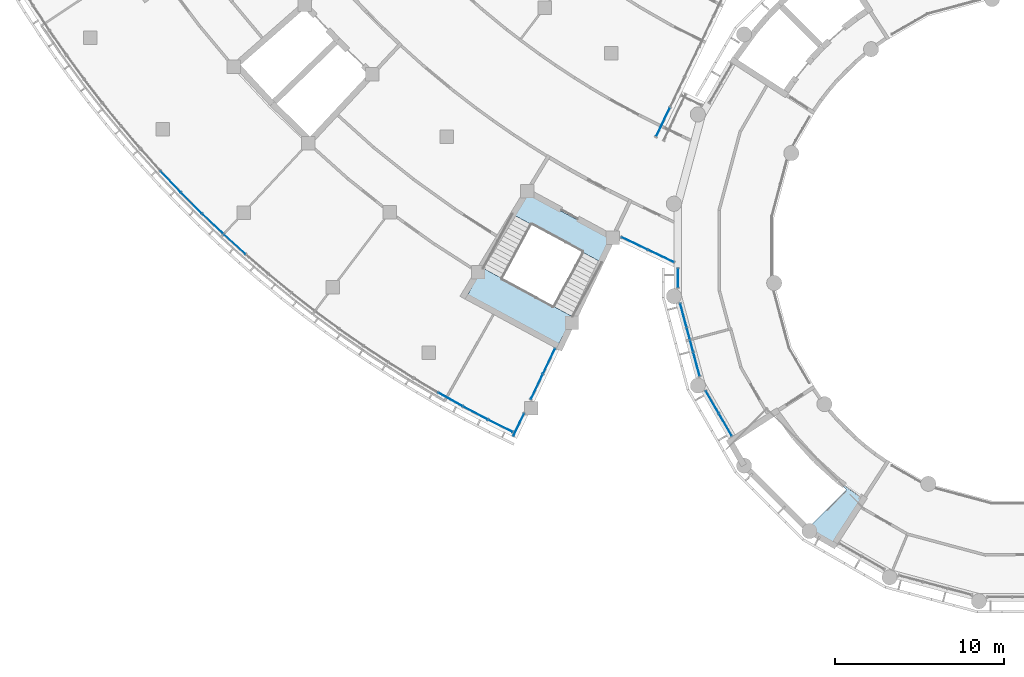
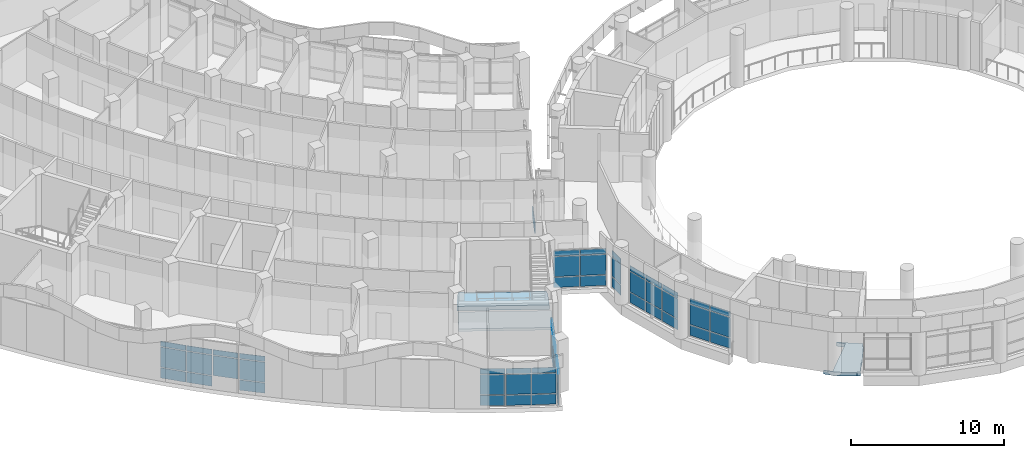
# One storey, part 31 of 109: 54 plates, 3 slabs, 11 elements without a shape of their own.
"""IFC4 building model written with IfcOpenShell, lengths in metres."""

from ifc_helpers import new_model, si_unit, direction, frame, origin, origin_2d, place, context, subcontext, project, spatial, polyline, rectangle, outline, extrude, material, layer, layer_set, type_object, element, aggregate, save


model = new_model("IFC4")

# Units and contexts
model_context = context("Model", 3, precision=1e-05, world=origin(), true_north=direction((0.0, 1.0)))
body_context = subcontext(model_context, "Body", "Model", "MODEL_VIEW")
ifc_project = project(units=[si_unit("LENGTHUNIT", "METRE"), si_unit("AREAUNIT", "SQUARE_METRE"), si_unit("VOLUMEUNIT", "CUBIC_METRE"), si_unit("PLANEANGLEUNIT", "RADIAN"), si_unit("MASSUNIT", "GRAM", prefix="KILO")], contexts=[model_context])

# Site, building, storey
site_placement = place(None, origin())
site = spatial("IfcSite", under=ifc_project, at=site_placement, CompositionType="ELEMENT")
building_placement = place(site_placement, origin())
building = spatial("IfcBuilding", under=site, at=building_placement, Name="Bougainvillea Quay General Hospital", CompositionType="ELEMENT")
storey_placement = place(building_placement, frame((0.0, 0.0, 12.60009765625)))
storey = spatial("IfcBuildingStorey", under=building, at=storey_placement, Name="L02", CompositionType="ELEMENT", Elevation=12.60009765625)

# Curtain wall, plates
ifc_material_1 = material(Name="Aluminium curtain wall system, powder-coated glazed", Category="aluminium")
curtain_wall_type_1 = type_object("IfcCurtainWallType", Name="Unitised curtain wall CW-2100", PredefinedType="NOTDEFINED", material=ifc_material_1)
curtain_wall_1_placement = place(storey_placement, origin())
curtain_wall_1 = element("IfcCurtainWall", 1, at=curtain_wall_1_placement, inside=storey, type_object=curtain_wall_type_1, Name="CW-W01 a01b0", PredefinedType="NOTDEFINED")
ifc_material_2 = material(Name="Insulated aluminium spandrel panel, white", Category="aluminium")
ifc_layer_1 = layer(ifc_material_2, 0.028076171875)
ifc_layer_set_1 = layer_set([ifc_layer_1], Name="Insulated aluminium spandrel panel, white")
plate_type_1 = type_object("IfcPlateType", Name="Insulated spandrel panel white 28", PredefinedType="CURTAIN_PANEL", material=ifc_layer_set_1)
plate_1_placement = place(storey_placement, frame((78.09912109375, 63.573486328125, 0.059814453125), z_axis=(0.0, 0.0, 1.0), x_axis=(-0.895166761772, 0.445731386172, 0.0)))
plate_1 = element("IfcPlate", 2, at=plate_1_placement, type_object=plate_type_1, Name="CW-W01 spandrel panel 1.1", PredefinedType="CURTAIN_PANEL", context=body_context, shape_type="SweptSolid", body=[
    extrude(rectangle(XDim=1.593994140625, YDim=0.028076171875, at=origin_2d()), origin(), (0.0, 0.0, 1.0), 0.81005859375),
])
plate_2_placement = place(storey_placement, frame((78.09912109375, 63.573486328125, 2.580078125), z_axis=(0.0, 0.0, 1.0), x_axis=(-0.895166761772, 0.445731386172, 0.0)))
plate_2 = element("IfcPlate", 3, at=plate_2_placement, type_object=plate_type_1, Name="CW-W01 spandrel panel 1.3", PredefinedType="CURTAIN_PANEL", context=body_context, shape_type="SweptSolid", body=[
    extrude(rectangle(XDim=1.593994140625, YDim=0.028076171875, at=origin_2d()), origin(), (0.0, 0.0, 1.0), 0.409912109375),
])
plate_3_placement = place(storey_placement, frame((76.6142578125, 64.33544921875, 0.059814453125), z_axis=(0.0, 0.0, 1.0), x_axis=(-0.88414485514, 0.467212879884, 0.0)))
plate_3 = element("IfcPlate", 4, at=plate_3_placement, type_object=plate_type_1, Name="CW-W01 spandrel panel 2.1", PredefinedType="CURTAIN_PANEL", context=body_context, shape_type="SweptSolid", body=[
    extrude(rectangle(XDim=1.6240234375, YDim=0.028076171875, at=origin_2d()), origin(), (0.0, 0.0, 1.0), 0.81005859375),
])
plate_4_placement = place(storey_placement, frame((76.6142578125, 64.33544921875, 2.580078125), z_axis=(0.0, 0.0, 1.0), x_axis=(-0.88414485514, 0.467212879884, 0.0)))
plate_4 = element("IfcPlate", 5, at=plate_4_placement, type_object=plate_type_1, Name="CW-W01 spandrel panel 2.3", PredefinedType="CURTAIN_PANEL", context=body_context, shape_type="SweptSolid", body=[
    extrude(rectangle(XDim=1.6240234375, YDim=0.028076171875, at=origin_2d()), origin(), (0.0, 0.0, 1.0), 0.409912109375),
])
plate_5_placement = place(storey_placement, frame((75.135009765625, 65.14013671875, 0.059814453125), z_axis=(0.0, 0.0, 1.0), x_axis=(-0.872607547761, 0.488422017922, 0.0)))
plate_5 = element("IfcPlate", 6, at=plate_5_placement, type_object=plate_type_1, Name="CW-W01 spandrel panel 3.1", PredefinedType="CURTAIN_PANEL", context=body_context, shape_type="SweptSolid", body=[
    extrude(rectangle(XDim=1.6240234375, YDim=0.028076171875, at=origin_2d()), origin(), (0.0, 0.0, 1.0), 0.81005859375),
])
plate_6_placement = place(storey_placement, frame((75.135009765625, 65.14013671875, 2.580078125), z_axis=(0.0, 0.0, 1.0), x_axis=(-0.872607547761, 0.488422017922, 0.0)))
plate_6 = element("IfcPlate", 7, at=plate_6_placement, type_object=plate_type_1, Name="CW-W01 spandrel panel 3.3", PredefinedType="CURTAIN_PANEL", context=body_context, shape_type="SweptSolid", body=[
    extrude(rectangle(XDim=1.6240234375, YDim=0.028076171875, at=origin_2d()), origin(), (0.0, 0.0, 1.0), 0.409912109375),
])

curtain_wall_2_placement = place(storey_placement, origin())
curtain_wall_2 = element("IfcCurtainWall", 8, at=curtain_wall_2_placement, inside=storey, type_object=curtain_wall_type_1, Name="CW-W03 a01b2", PredefinedType="NOTDEFINED")
plate_7_placement = place(storey_placement, frame((62.353759765625, 74.330810546875, 0.059814453125), z_axis=(0.0, 0.0, 1.0), x_axis=(-0.740693210613, 0.671843410143, 0.0)))
plate_7 = element("IfcPlate", 9, at=plate_7_placement, type_object=plate_type_1, Name="CW-W03 spandrel panel 4.1", PredefinedType="CURTAIN_PANEL", context=body_context, shape_type="SweptSolid", body=[
    extrude(rectangle(XDim=1.6787109375, YDim=0.028076171875, at=origin_2d()), origin(), (0.0, 0.0, 1.0), 0.81005859375),
])
plate_8_placement = place(storey_placement, frame((62.353759765625, 74.330810546875, 2.580078125), z_axis=(0.0, 0.0, 1.0), x_axis=(-0.740693210613, 0.671843410143, 0.0)))
plate_8 = element("IfcPlate", 10, at=plate_8_placement, type_object=plate_type_1, Name="CW-W03 spandrel panel 4.3", PredefinedType="CURTAIN_PANEL", context=body_context, shape_type="SweptSolid", body=[
    extrude(rectangle(XDim=1.6787109375, YDim=0.028076171875, at=origin_2d()), origin(), (0.0, 0.0, 1.0), 0.409912109375),
])

curtain_wall_3_placement = place(storey_placement, origin())
curtain_wall_3 = element("IfcCurtainWall", 11, at=curtain_wall_3_placement, inside=storey, type_object=curtain_wall_type_1, Name="CW-W04 a01b3", PredefinedType="NOTDEFINED")
plate_9_placement = place(storey_placement, frame((61.037109375, 75.555908203125, 2.580078125), z_axis=(0.0, 0.0, 1.0), x_axis=(-0.72341917251, 0.690409082244, 0.0)))
plate_9 = element("IfcPlate", 12, at=plate_9_placement, type_object=plate_type_1, Name="CW-W04 spandrel panel 1.3", PredefinedType="CURTAIN_PANEL", context=body_context, shape_type="SweptSolid", body=[
    extrude(rectangle(XDim=1.6787109375, YDim=0.028076171875, at=origin_2d()), origin(), (0.0, 0.0, 1.0), 0.409912109375),
])
plate_10_placement = place(storey_placement, frame((59.783935546875, 76.78271484375, 0.059814453125), z_axis=(0.0, 0.0, 1.0), x_axis=(-0.705679920485, 0.708530768439, 0.0)))
plate_10 = element("IfcPlate", 13, at=plate_10_placement, type_object=plate_type_1, Name="CW-W04 spandrel panel 2.1", PredefinedType="CURTAIN_PANEL", context=body_context, shape_type="SweptSolid", body=[
    extrude(rectangle(XDim=1.708740234375, YDim=0.028076171875, at=origin_2d()), origin(), (0.0, 0.0, 1.0), 0.81005859375),
])
plate_11_placement = place(storey_placement, frame((59.783935546875, 76.78271484375, 2.580078125), z_axis=(0.0, 0.0, 1.0), x_axis=(-0.705679920485, 0.708530768439, 0.0)))
plate_11 = element("IfcPlate", 14, at=plate_11_placement, type_object=plate_type_1, Name="CW-W04 spandrel panel 2.3", PredefinedType="CURTAIN_PANEL", context=body_context, shape_type="SweptSolid", body=[
    extrude(rectangle(XDim=1.708740234375, YDim=0.028076171875, at=origin_2d()), origin(), (0.0, 0.0, 1.0), 0.409912109375),
])
plate_12_placement = place(storey_placement, frame((58.5517578125, 78.0517578125, 0.059814453125), z_axis=(0.0, 0.0, 1.0), x_axis=(-0.687486862234, 0.726196815096, 0.0)))
plate_12 = element("IfcPlate", 15, at=plate_12_placement, type_object=plate_type_1, Name="CW-W04 spandrel panel 3.1", PredefinedType="CURTAIN_PANEL", context=body_context, shape_type="SweptSolid", body=[
    extrude(rectangle(XDim=1.708740234375, YDim=0.028076171875, at=origin_2d()), origin(), (0.0, 0.0, 1.0), 0.81005859375),
])
plate_13_placement = place(storey_placement, frame((58.5517578125, 78.0517578125, 2.580078125), z_axis=(0.0, 0.0, 1.0), x_axis=(-0.687486862234, 0.726196815096, 0.0)))
plate_13 = element("IfcPlate", 16, at=plate_13_placement, type_object=plate_type_1, Name="CW-W04 spandrel panel 3.3", PredefinedType="CURTAIN_PANEL", context=body_context, shape_type="SweptSolid", body=[
    extrude(rectangle(XDim=1.708740234375, YDim=0.028076171875, at=origin_2d()), origin(), (0.0, 0.0, 1.0), 0.409912109375),
])

curtain_wall_type_2 = type_object("IfcCurtainWallType", Name="Unitised curtain wall CW-1580", PredefinedType="NOTDEFINED", material=ifc_material_1)
curtain_wall_4_placement = place(storey_placement, origin())
curtain_wall_4 = element("IfcCurtainWall", 17, at=curtain_wall_4_placement, inside=storey, type_object=curtain_wall_type_2, Name="CW-AE 00", PredefinedType="NOTDEFINED")
plate_14_placement = place(storey_placement, frame((79.178466796875, 63.6396484375, 0.059814453125), z_axis=(0.0, 0.0, 1.0), x_axis=(0.430530445105, 0.902576055431, 0.0)))
plate_14 = element("IfcPlate", 18, at=plate_14_placement, type_object=plate_type_1, Name="CW-AE spandrel panel 1.1", PredefinedType="CURTAIN_PANEL", context=body_context, shape_type="SweptSolid", body=[
    extrude(rectangle(XDim=1.459716796875, YDim=0.028076171875, at=origin_2d()), origin(), (0.0, 0.0, 1.0), 0.81005859375),
])
plate_15_placement = place(storey_placement, frame((79.178466796875, 63.6396484375, 2.580078125), z_axis=(0.0, 0.0, 1.0), x_axis=(0.430530445105, 0.902576055431, 0.0)))
plate_15 = element("IfcPlate", 19, at=plate_15_placement, type_object=plate_type_1, Name="CW-AE spandrel panel 1.3", PredefinedType="CURTAIN_PANEL", context=body_context, shape_type="SweptSolid", body=[
    extrude(rectangle(XDim=1.459716796875, YDim=0.028076171875, at=origin_2d()), origin(), (0.0, 0.0, 1.0), 0.409912109375),
])

curtain_wall_type_3 = type_object("IfcCurtainWallType", Name="Unitised curtain wall CW-1703", PredefinedType="NOTDEFINED", material=ifc_material_1)
curtain_wall_5_placement = place(storey_placement, origin())
curtain_wall_5 = element("IfcCurtainWall", 20, at=curtain_wall_5_placement, inside=storey, type_object=curtain_wall_type_3, Name="CW-AE 01", PredefinedType="NOTDEFINED")
plate_16_placement = place(storey_placement, frame((80.253173828125, 65.892822265625, 0.059814453125), z_axis=(0.0, 0.0, 1.0), x_axis=(0.430530445105, 0.902576055431, 0.0)))
plate_16 = element("IfcPlate", 21, at=plate_16_placement, type_object=plate_type_1, Name="CW-AE spandrel panel 1.1", PredefinedType="CURTAIN_PANEL", context=body_context, shape_type="SweptSolid", body=[
    extrude(rectangle(XDim=1.61279296875, YDim=0.028076171875, at=origin_2d()), origin(), (0.0, 0.0, 1.0), 0.81005859375),
])
plate_17_placement = place(storey_placement, frame((80.253173828125, 65.892822265625, 2.580078125), z_axis=(0.0, 0.0, 1.0), x_axis=(0.430530445105, 0.902576055431, 0.0)))
plate_17 = element("IfcPlate", 22, at=plate_17_placement, type_object=plate_type_1, Name="CW-AE spandrel panel 1.3", PredefinedType="CURTAIN_PANEL", context=body_context, shape_type="SweptSolid", body=[
    extrude(rectangle(XDim=1.61279296875, YDim=0.028076171875, at=origin_2d()), origin(), (0.0, 0.0, 1.0), 0.409912109375),
])
plate_18_placement = place(storey_placement, frame((80.973388671875, 67.402587890625, 0.059814453125), z_axis=(0.0, 0.0, 1.0), x_axis=(0.430530445105, 0.902576055431, 0.0)))
plate_18 = element("IfcPlate", 23, at=plate_18_placement, type_object=plate_type_1, Name="CW-AE spandrel panel 2.1", PredefinedType="CURTAIN_PANEL", context=body_context, shape_type="SweptSolid", body=[
    extrude(rectangle(XDim=1.61279296875, YDim=0.028076171875, at=origin_2d()), origin(), (0.0, 0.0, 1.0), 0.81005859375),
])
plate_19_placement = place(storey_placement, frame((80.973388671875, 67.402587890625, 2.580078125), z_axis=(0.0, 0.0, 1.0), x_axis=(0.430530445105, 0.902576055431, 0.0)))
plate_19 = element("IfcPlate", 24, at=plate_19_placement, type_object=plate_type_1, Name="CW-AE spandrel panel 2.3", PredefinedType="CURTAIN_PANEL", context=body_context, shape_type="SweptSolid", body=[
    extrude(rectangle(XDim=1.61279296875, YDim=0.028076171875, at=origin_2d()), origin(), (0.0, 0.0, 1.0), 0.409912109375),
])

curtain_wall_type_4 = type_object("IfcCurtainWallType", Name="Unitised curtain wall CW-1770", PredefinedType="NOTDEFINED", material=ifc_material_1)
curtain_wall_6_placement = place(storey_placement, origin())
curtain_wall_6 = element("IfcCurtainWall", 25, at=curtain_wall_6_placement, inside=storey, type_object=curtain_wall_type_4, Name="CW-AE 00", PredefinedType="NOTDEFINED")
plate_20_placement = place(storey_placement, frame((86.045654296875, 74.390625, 0.059814453125), z_axis=(0.0, 0.0, 1.0), x_axis=(0.902608211345, -0.430463026068, 0.0)))
plate_20 = element("IfcPlate", 26, at=plate_20_placement, type_object=plate_type_1, Name="CW-AE spandrel panel 1.1", PredefinedType="CURTAIN_PANEL", context=body_context, shape_type="SweptSolid", body=[
    extrude(rectangle(XDim=1.67919921875, YDim=0.028076171875, at=origin_2d()), origin(), (0.0, 0.0, 1.0), 0.81005859375),
])
plate_21_placement = place(storey_placement, frame((86.045654296875, 74.390625, 2.580078125), z_axis=(0.0, 0.0, 1.0), x_axis=(0.902608211345, -0.430463026068, 0.0)))
plate_21 = element("IfcPlate", 27, at=plate_21_placement, type_object=plate_type_1, Name="CW-AE spandrel panel 1.3", PredefinedType="CURTAIN_PANEL", context=body_context, shape_type="SweptSolid", body=[
    extrude(rectangle(XDim=1.67919921875, YDim=0.028076171875, at=origin_2d()), origin(), (0.0, 0.0, 1.0), 0.409912109375),
])
plate_22_placement = place(storey_placement, frame((87.615478515625, 73.641845703125, 0.059814453125), z_axis=(0.0, 0.0, 1.0), x_axis=(0.902608211345, -0.430463026068, 0.0)))
plate_22 = element("IfcPlate", 28, at=plate_22_placement, type_object=plate_type_1, Name="CW-AE spandrel panel 2.1", PredefinedType="CURTAIN_PANEL", context=body_context, shape_type="SweptSolid", body=[
    extrude(rectangle(XDim=1.67919921875, YDim=0.028076171875, at=origin_2d()), origin(), (0.0, 0.0, 1.0), 0.81005859375),
])
plate_23_placement = place(storey_placement, frame((87.615478515625, 73.641845703125, 2.580078125), z_axis=(0.0, 0.0, 1.0), x_axis=(0.902608211345, -0.430463026068, 0.0)))
plate_23 = element("IfcPlate", 29, at=plate_23_placement, type_object=plate_type_1, Name="CW-AE spandrel panel 2.3", PredefinedType="CURTAIN_PANEL", context=body_context, shape_type="SweptSolid", body=[
    extrude(rectangle(XDim=1.67919921875, YDim=0.028076171875, at=origin_2d()), origin(), (0.0, 0.0, 1.0), 0.409912109375),
])

# Curtain wall, plate
curtain_wall_type_5 = type_object("IfcCurtainWallType", Name="Unitised curtain wall CW-1989", PredefinedType="NOTDEFINED", material=ifc_material_1)
curtain_wall_7_placement = place(storey_placement, origin())
curtain_wall_7 = element("IfcCurtainWall", 30, at=curtain_wall_7_placement, inside=storey, type_object=curtain_wall_type_5, Name="CW-AE 00", PredefinedType="NOTDEFINED")
plate_24_placement = place(storey_placement, frame((87.73681640625, 81.58349609375, 0.059814453125), z_axis=(0.0, 0.0, 1.0), x_axis=(0.430563040838, 0.902560506484, 0.0)))
plate_24 = element("IfcPlate", 31, at=plate_24_placement, type_object=plate_type_1, Name="CW-AE spandrel panel 1.1", PredefinedType="CURTAIN_PANEL", context=body_context, shape_type="SweptSolid", body=[
    extrude(rectangle(XDim=1.8984375, YDim=0.028076171875, at=origin_2d()), origin(), (0.0, 0.0, 1.0), 0.81005859375),
])
aggregate(curtain_wall_7, [plate_24])

# Curtain wall, plates
curtain_wall_type_6 = type_object("IfcCurtainWallType", Name="Unitised curtain wall CW-1211", PredefinedType="NOTDEFINED", material=ifc_material_1)
curtain_wall_8_placement = place(storey_placement, origin())
curtain_wall_8 = element("IfcCurtainWall", 32, at=curtain_wall_8_placement, inside=storey, type_object=curtain_wall_type_6, Name="CW-D 00", PredefinedType="NOTDEFINED")
plate_25_placement = place(storey_placement, frame((88.6298828125, 72.33447265625, 0.059814453125), z_axis=(0.0, 0.0, 1.0), x_axis=(0.0, -1.0, 0.0)))
plate_25 = element("IfcPlate", 33, at=plate_25_placement, type_object=plate_type_1, Name="CW-D spandrel panel 1.1", PredefinedType="CURTAIN_PANEL", context=body_context, shape_type="SweptSolid", body=[
    extrude(rectangle(XDim=1.091064453125, YDim=0.028076171875, at=origin_2d()), origin(), (0.0, 0.0, 1.0), 0.81005859375),
])
plate_26_placement = place(storey_placement, frame((88.6298828125, 72.33447265625, 2.580078125), z_axis=(0.0, 0.0, 1.0), x_axis=(0.0, -1.0, 0.0)))
plate_26 = element("IfcPlate", 34, at=plate_26_placement, type_object=plate_type_1, Name="CW-D spandrel panel 1.3", PredefinedType="CURTAIN_PANEL", context=body_context, shape_type="SweptSolid", body=[
    extrude(rectangle(XDim=1.091064453125, YDim=0.028076171875, at=origin_2d()), origin(), (0.0, 0.0, 1.0), 0.409912109375),
])

curtain_wall_type_7 = type_object("IfcCurtainWallType", Name="Unitised curtain wall CW-1514", PredefinedType="NOTDEFINED", material=ifc_material_1)
curtain_wall_9_placement = place(storey_placement, origin())
curtain_wall_9 = element("IfcCurtainWall", 35, at=curtain_wall_9_placement, inside=storey, type_object=curtain_wall_type_7, Name="CW-D 00", PredefinedType="NOTDEFINED")
plate_27_placement = place(storey_placement, frame((88.94287109375, 70.1240234375, 0.059814453125), z_axis=(0.0, 0.0, 1.0), x_axis=(0.258854621298, -0.965916292974, 0.0)))
plate_27 = element("IfcPlate", 36, at=plate_27_placement, type_object=plate_type_1, Name="CW-D spandrel panel 1.1", PredefinedType="CURTAIN_PANEL", context=body_context, shape_type="SweptSolid", body=[
    extrude(rectangle(XDim=1.423828125, YDim=0.028076171875, at=origin_2d()), origin(), (0.0, 0.0, 1.0), 0.81005859375),
])
plate_28_placement = place(storey_placement, frame((88.94287109375, 70.1240234375, 2.580078125), z_axis=(0.0, 0.0, 1.0), x_axis=(0.258854621298, -0.965916292974, 0.0)))
plate_28 = element("IfcPlate", 37, at=plate_28_placement, type_object=plate_type_1, Name="CW-D spandrel panel 1.3", PredefinedType="CURTAIN_PANEL", context=body_context, shape_type="SweptSolid", body=[
    extrude(rectangle(XDim=1.423828125, YDim=0.028076171875, at=origin_2d()), origin(), (0.0, 0.0, 1.0), 0.409912109375),
])
plate_29_placement = place(storey_placement, frame((89.3310546875, 68.67626953125, 0.059814453125), z_axis=(0.0, 0.0, 1.0), x_axis=(0.258854621298, -0.965916292974, 0.0)))
plate_29 = element("IfcPlate", 38, at=plate_29_placement, type_object=plate_type_1, Name="CW-D spandrel panel 2.1", PredefinedType="CURTAIN_PANEL", context=body_context, shape_type="SweptSolid", body=[
    extrude(rectangle(XDim=1.453857421875, YDim=0.028076171875, at=origin_2d()), origin(), (0.0, 0.0, 1.0), 0.81005859375),
])
plate_30_placement = place(storey_placement, frame((89.3310546875, 68.67626953125, 2.580078125), z_axis=(0.0, 0.0, 1.0), x_axis=(0.258854621298, -0.965916292974, 0.0)))
plate_30 = element("IfcPlate", 39, at=plate_30_placement, type_object=plate_type_1, Name="CW-D spandrel panel 2.3", PredefinedType="CURTAIN_PANEL", context=body_context, shape_type="SweptSolid", body=[
    extrude(rectangle(XDim=1.453857421875, YDim=0.028076171875, at=origin_2d()), origin(), (0.0, 0.0, 1.0), 0.409912109375),
])
plate_31_placement = place(storey_placement, frame((89.718994140625, 67.228271484375, 0.059814453125), z_axis=(0.0, 0.0, 1.0), x_axis=(0.258854621298, -0.965916292974, 0.0)))
plate_31 = element("IfcPlate", 40, at=plate_31_placement, type_object=plate_type_1, Name="CW-D spandrel panel 3.1", PredefinedType="CURTAIN_PANEL", context=body_context, shape_type="SweptSolid", body=[
    extrude(rectangle(XDim=1.423828125, YDim=0.028076171875, at=origin_2d()), origin(), (0.0, 0.0, 1.0), 0.81005859375),
])
plate_32_placement = place(storey_placement, frame((89.718994140625, 67.228271484375, 2.580078125), z_axis=(0.0, 0.0, 1.0), x_axis=(0.258854621298, -0.965916292974, 0.0)))
plate_32 = element("IfcPlate", 41, at=plate_32_placement, type_object=plate_type_1, Name="CW-D spandrel panel 3.3", PredefinedType="CURTAIN_PANEL", context=body_context, shape_type="SweptSolid", body=[
    extrude(rectangle(XDim=1.423828125, YDim=0.028076171875, at=origin_2d()), origin(), (0.0, 0.0, 1.0), 0.409912109375),
])

curtain_wall_type_8 = type_object("IfcCurtainWallType", Name="Unitised curtain wall CW-1585", PredefinedType="NOTDEFINED", material=ifc_material_1)
curtain_wall_10_placement = place(storey_placement, origin())
curtain_wall_10 = element("IfcCurtainWall", 42, at=curtain_wall_10_placement, inside=storey, type_object=curtain_wall_type_8, Name="CW-D 00", PredefinedType="NOTDEFINED")
plate_33_placement = place(storey_placement, frame((90.654296875, 64.982666015625, 0.059814453125), z_axis=(0.0, 0.0, 1.0), x_axis=(0.499964557262, -0.866045865692, 0.0)))
plate_33 = element("IfcPlate", 43, at=plate_33_placement, type_object=plate_type_1, Name="CW-D spandrel panel 1.1", PredefinedType="CURTAIN_PANEL", context=body_context, shape_type="SweptSolid", body=[
    extrude(rectangle(XDim=1.494873046875, YDim=0.028076171875, at=origin_2d()), origin(), (0.0, 0.0, 1.0), 0.81005859375),
])
plate_34_placement = place(storey_placement, frame((90.654296875, 64.982666015625, 2.580078125), z_axis=(0.0, 0.0, 1.0), x_axis=(0.499964557262, -0.866045865692, 0.0)))
plate_34 = element("IfcPlate", 44, at=plate_34_placement, type_object=plate_type_1, Name="CW-D spandrel panel 1.3", PredefinedType="CURTAIN_PANEL", context=body_context, shape_type="SweptSolid", body=[
    extrude(rectangle(XDim=1.494873046875, YDim=0.028076171875, at=origin_2d()), origin(), (0.0, 0.0, 1.0), 0.409912109375),
])
plate_35_placement = place(storey_placement, frame((91.431640625, 63.635986328125, 0.059814453125), z_axis=(0.0, 0.0, 1.0), x_axis=(0.499964557262, -0.866045865692, 0.0)))
plate_35 = element("IfcPlate", 45, at=plate_35_placement, type_object=plate_type_1, Name="CW-D spandrel panel 2.1", PredefinedType="CURTAIN_PANEL", context=body_context, shape_type="SweptSolid", body=[
    extrude(rectangle(XDim=1.494873046875, YDim=0.028076171875, at=origin_2d()), origin(), (0.0, 0.0, 1.0), 0.81005859375),
])
plate_36_placement = place(storey_placement, frame((91.431640625, 63.635986328125, 2.580078125), z_axis=(0.0, 0.0, 1.0), x_axis=(0.499964557262, -0.866045865692, 0.0)))
plate_36 = element("IfcPlate", 46, at=plate_36_placement, type_object=plate_type_1, Name="CW-D spandrel panel 2.3", PredefinedType="CURTAIN_PANEL", context=body_context, shape_type="SweptSolid", body=[
    extrude(rectangle(XDim=1.494873046875, YDim=0.028076171875, at=origin_2d()), origin(), (0.0, 0.0, 1.0), 0.409912109375),
])

# Plate
ifc_material_3 = material(Name="Low-e laminated glass, solar control", Category="glass")
ifc_layer_2 = layer(ifc_material_3, 0.028076171875)
ifc_layer_set_2 = layer_set([ifc_layer_2], Name="Low-e laminated glass, solar control")
plate_type_2 = type_object("IfcPlateType", Name="Low-e laminated vision glass 28", PredefinedType="CURTAIN_PANEL", material=ifc_layer_set_2)
plate_37_placement = place(storey_placement, frame((78.09912109375, 63.573486328125, 0.9296875), z_axis=(0.0, 0.0, 1.0), x_axis=(-0.895166761772, 0.445731386172, 0.0)))
plate_37 = element("IfcPlate", 47, at=plate_37_placement, type_object=plate_type_2, Name="CW-W01 vision glass panel 1.2", PredefinedType="CURTAIN_PANEL", context=body_context, shape_type="SweptSolid", body=[
    extrude(rectangle(XDim=1.593994140625, YDim=0.028076171875, at=origin_2d()), origin(), (0.0, 0.0, 1.0), 1.590087890625),
])

plate_38_placement = place(storey_placement, frame((76.6142578125, 64.33544921875, 0.9296875), z_axis=(0.0, 0.0, 1.0), x_axis=(-0.88414485514, 0.467212879884, 0.0)))
plate_38 = element("IfcPlate", 48, at=plate_38_placement, type_object=plate_type_2, Name="CW-W01 vision glass panel 2.2", PredefinedType="CURTAIN_PANEL", context=body_context, shape_type="SweptSolid", body=[
    extrude(rectangle(XDim=1.6240234375, YDim=0.028076171875, at=origin_2d()), origin(), (0.0, 0.0, 1.0), 1.590087890625),
])

plate_39_placement = place(storey_placement, frame((75.135009765625, 65.14013671875, 0.9296875), z_axis=(0.0, 0.0, 1.0), x_axis=(-0.872607547761, 0.488422017922, 0.0)))
plate_39 = element("IfcPlate", 49, at=plate_39_placement, type_object=plate_type_2, Name="CW-W01 vision glass panel 3.2", PredefinedType="CURTAIN_PANEL", context=body_context, shape_type="SweptSolid", body=[
    extrude(rectangle(XDim=1.6240234375, YDim=0.028076171875, at=origin_2d()), origin(), (0.0, 0.0, 1.0), 1.590087890625),
])

aggregate(curtain_wall_1, [plate_1, plate_37, plate_2, plate_3, plate_38, plate_4, plate_5, plate_39, plate_6])

plate_40_placement = place(storey_placement, frame((62.353759765625, 74.330810546875, 0.9296875), z_axis=(0.0, 0.0, 1.0), x_axis=(-0.740693210613, 0.671843410143, 0.0)))
plate_40 = element("IfcPlate", 50, at=plate_40_placement, type_object=plate_type_2, Name="CW-W03 vision glass panel 4.2", PredefinedType="CURTAIN_PANEL", context=body_context, shape_type="SweptSolid", body=[
    extrude(rectangle(XDim=1.6787109375, YDim=0.028076171875, at=origin_2d()), origin(), (0.0, 0.0, 1.0), 1.590087890625),
])

aggregate(curtain_wall_2, [plate_7, plate_40, plate_8])

plate_41_placement = place(storey_placement, frame((61.037109375, 75.555908203125, 0.9296875), z_axis=(0.0, 0.0, 1.0), x_axis=(-0.72341917251, 0.690409082244, 0.0)))
plate_41 = element("IfcPlate", 51, at=plate_41_placement, type_object=plate_type_2, Name="CW-W04 vision glass panel 1.2", PredefinedType="CURTAIN_PANEL", context=body_context, shape_type="SweptSolid", body=[
    extrude(rectangle(XDim=1.6787109375, YDim=0.028076171875, at=origin_2d()), origin(), (0.0, 0.0, 1.0), 1.590087890625),
])

plate_42_placement = place(storey_placement, frame((59.783935546875, 76.78271484375, 0.9296875), z_axis=(0.0, 0.0, 1.0), x_axis=(-0.705679920485, 0.708530768439, 0.0)))
plate_42 = element("IfcPlate", 52, at=plate_42_placement, type_object=plate_type_2, Name="CW-W04 vision glass panel 2.2", PredefinedType="CURTAIN_PANEL", context=body_context, shape_type="SweptSolid", body=[
    extrude(rectangle(XDim=1.708740234375, YDim=0.028076171875, at=origin_2d()), origin(), (0.0, 0.0, 1.0), 1.590087890625),
])

plate_43_placement = place(storey_placement, frame((58.5517578125, 78.0517578125, 0.9296875), z_axis=(0.0, 0.0, 1.0), x_axis=(-0.687486862234, 0.726196815096, 0.0)))
plate_43 = element("IfcPlate", 53, at=plate_43_placement, type_object=plate_type_2, Name="CW-W04 vision glass panel 3.2", PredefinedType="CURTAIN_PANEL", context=body_context, shape_type="SweptSolid", body=[
    extrude(rectangle(XDim=1.708740234375, YDim=0.028076171875, at=origin_2d()), origin(), (0.0, 0.0, 1.0), 1.590087890625),
])

aggregate(curtain_wall_3, [plate_41, plate_9, plate_10, plate_42, plate_11, plate_12, plate_43, plate_13])

plate_44_placement = place(storey_placement, frame((79.178466796875, 63.6396484375, 0.9296875), z_axis=(0.0, 0.0, 1.0), x_axis=(0.430530445105, 0.902576055431, 0.0)))
plate_44 = element("IfcPlate", 54, at=plate_44_placement, type_object=plate_type_2, Name="CW-AE vision glass panel 1.2", PredefinedType="CURTAIN_PANEL", context=body_context, shape_type="SweptSolid", body=[
    extrude(rectangle(XDim=1.459716796875, YDim=0.028076171875, at=origin_2d()), origin(), (0.0, 0.0, 1.0), 1.590087890625),
])

aggregate(curtain_wall_4, [plate_14, plate_44, plate_15])

plate_45_placement = place(storey_placement, frame((80.253173828125, 65.892822265625, 0.9296875), z_axis=(0.0, 0.0, 1.0), x_axis=(0.430530445105, 0.902576055431, 0.0)))
plate_45 = element("IfcPlate", 55, at=plate_45_placement, type_object=plate_type_2, Name="CW-AE vision glass panel 1.2", PredefinedType="CURTAIN_PANEL", context=body_context, shape_type="SweptSolid", body=[
    extrude(rectangle(XDim=1.61279296875, YDim=0.028076171875, at=origin_2d()), origin(), (0.0, 0.0, 1.0), 1.590087890625),
])

plate_46_placement = place(storey_placement, frame((80.973388671875, 67.402587890625, 0.9296875), z_axis=(0.0, 0.0, 1.0), x_axis=(0.430530445105, 0.902576055431, 0.0)))
plate_46 = element("IfcPlate", 56, at=plate_46_placement, type_object=plate_type_2, Name="CW-AE vision glass panel 2.2", PredefinedType="CURTAIN_PANEL", context=body_context, shape_type="SweptSolid", body=[
    extrude(rectangle(XDim=1.61279296875, YDim=0.028076171875, at=origin_2d()), origin(), (0.0, 0.0, 1.0), 1.590087890625),
])

aggregate(curtain_wall_5, [plate_16, plate_45, plate_17, plate_18, plate_46, plate_19])

plate_47_placement = place(storey_placement, frame((86.045654296875, 74.390625, 0.9296875), z_axis=(0.0, 0.0, 1.0), x_axis=(0.902608211345, -0.430463026068, 0.0)))
plate_47 = element("IfcPlate", 57, at=plate_47_placement, type_object=plate_type_2, Name="CW-AE vision glass panel 1.2", PredefinedType="CURTAIN_PANEL", context=body_context, shape_type="SweptSolid", body=[
    extrude(rectangle(XDim=1.67919921875, YDim=0.028076171875, at=origin_2d()), origin(), (0.0, 0.0, 1.0), 1.590087890625),
])

plate_48_placement = place(storey_placement, frame((87.615478515625, 73.641845703125, 0.9296875), z_axis=(0.0, 0.0, 1.0), x_axis=(0.902608211345, -0.430463026068, 0.0)))
plate_48 = element("IfcPlate", 58, at=plate_48_placement, type_object=plate_type_2, Name="CW-AE vision glass panel 2.2", PredefinedType="CURTAIN_PANEL", context=body_context, shape_type="SweptSolid", body=[
    extrude(rectangle(XDim=1.67919921875, YDim=0.028076171875, at=origin_2d()), origin(), (0.0, 0.0, 1.0), 1.590087890625),
])

aggregate(curtain_wall_6, [plate_20, plate_47, plate_21, plate_22, plate_48, plate_23])

plate_49_placement = place(storey_placement, frame((88.6298828125, 72.33447265625, 0.9296875), z_axis=(0.0, 0.0, 1.0), x_axis=(0.0, -1.0, 0.0)))
plate_49 = element("IfcPlate", 59, at=plate_49_placement, type_object=plate_type_2, Name="CW-D vision glass panel 1.2", PredefinedType="CURTAIN_PANEL", context=body_context, shape_type="SweptSolid", body=[
    extrude(rectangle(XDim=1.091064453125, YDim=0.028076171875, at=origin_2d()), origin(), (0.0, 0.0, 1.0), 1.590087890625),
])

aggregate(curtain_wall_8, [plate_25, plate_49, plate_26])

plate_50_placement = place(storey_placement, frame((88.94287109375, 70.1240234375, 0.9296875), z_axis=(0.0, 0.0, 1.0), x_axis=(0.258854621298, -0.965916292974, 0.0)))
plate_50 = element("IfcPlate", 60, at=plate_50_placement, type_object=plate_type_2, Name="CW-D vision glass panel 1.2", PredefinedType="CURTAIN_PANEL", context=body_context, shape_type="SweptSolid", body=[
    extrude(rectangle(XDim=1.423828125, YDim=0.028076171875, at=origin_2d()), origin(), (0.0, 0.0, 1.0), 1.590087890625),
])

plate_51_placement = place(storey_placement, frame((89.3310546875, 68.67626953125, 0.9296875), z_axis=(0.0, 0.0, 1.0), x_axis=(0.258854621298, -0.965916292974, 0.0)))
plate_51 = element("IfcPlate", 61, at=plate_51_placement, type_object=plate_type_2, Name="CW-D vision glass panel 2.2", PredefinedType="CURTAIN_PANEL", context=body_context, shape_type="SweptSolid", body=[
    extrude(rectangle(XDim=1.453857421875, YDim=0.028076171875, at=origin_2d()), origin(), (0.0, 0.0, 1.0), 1.590087890625),
])

plate_52_placement = place(storey_placement, frame((89.718994140625, 67.228271484375, 0.9296875), z_axis=(0.0, 0.0, 1.0), x_axis=(0.258854621298, -0.965916292974, 0.0)))
plate_52 = element("IfcPlate", 62, at=plate_52_placement, type_object=plate_type_2, Name="CW-D vision glass panel 3.2", PredefinedType="CURTAIN_PANEL", context=body_context, shape_type="SweptSolid", body=[
    extrude(rectangle(XDim=1.423828125, YDim=0.028076171875, at=origin_2d()), origin(), (0.0, 0.0, 1.0), 1.590087890625),
])

aggregate(curtain_wall_9, [plate_27, plate_50, plate_28, plate_29, plate_51, plate_30, plate_31, plate_52, plate_32])

plate_53_placement = place(storey_placement, frame((90.654296875, 64.982666015625, 0.9296875), z_axis=(0.0, 0.0, 1.0), x_axis=(0.499964557262, -0.866045865692, 0.0)))
plate_53 = element("IfcPlate", 63, at=plate_53_placement, type_object=plate_type_2, Name="CW-D vision glass panel 1.2", PredefinedType="CURTAIN_PANEL", context=body_context, shape_type="SweptSolid", body=[
    extrude(rectangle(XDim=1.494873046875, YDim=0.028076171875, at=origin_2d()), origin(), (0.0, 0.0, 1.0), 1.590087890625),
])

plate_54_placement = place(storey_placement, frame((91.431640625, 63.635986328125, 0.9296875), z_axis=(0.0, 0.0, 1.0), x_axis=(0.499964557262, -0.866045865692, 0.0)))
plate_54 = element("IfcPlate", 64, at=plate_54_placement, type_object=plate_type_2, Name="CW-D vision glass panel 2.2", PredefinedType="CURTAIN_PANEL", context=body_context, shape_type="SweptSolid", body=[
    extrude(rectangle(XDim=1.494873046875, YDim=0.028076171875, at=origin_2d()), origin(), (0.0, 0.0, 1.0), 1.590087890625),
])

aggregate(curtain_wall_10, [plate_33, plate_53, plate_34, plate_35, plate_54, plate_36])

# Slabs
ifc_material_4 = material(Name="Concrete C35", Category="concrete")
ifc_layer_3 = layer(ifc_material_4, 0.300048828125)
ifc_layer_set_3 = layer_set([ifc_layer_3], Name="Concrete C35")
slab_type_1 = type_object("IfcSlabType", Name="RC FLAT SLAB 300 C35", PredefinedType="FLOOR", material=ifc_layer_set_3)
slab_1_placement = place(storey_placement, frame((0.0, 0.0, -0.300048828125)))
element("IfcSlab", 65, at=slab_1_placement, inside=storey, type_object=slab_type_1, Name="Stair landing floor ST-H2 L02", PredefinedType="FLOOR", context=body_context, shape_type="SweptSolid", body=[
    extrude(outline(polyline([(97.6240234375, 56.5849609375), (96.727783203125, 57.102294921875), (96.59130859375, 57.239013671875), (96.416015625, 57.340087890625), (95.869873046875, 57.885986328125), (95.904296875, 57.92431640625), (96.329345703125, 57.499755859375), (98.611328125, 59.781982421875), (98.18701171875, 60.206787109375), (98.226806640625, 60.242919921875), (98.85498046875, 59.760986328125), (99.614013671875, 59.239013671875), (99.4326171875, 58.959716796875), (99.46875, 58.923583984375), (98.553955078125, 57.514892578125), (98.3837890625, 57.3447265625), (97.844970703125, 56.514892578125), (97.66064453125, 56.62158203125), (97.6240234375, 56.5849609375)])), origin(), (0.0, 0.0, 1.0), 0.300048828125),
])
ifc_layer_4 = layer(ifc_material_4, 0.35009765625)
ifc_layer_set_4 = layer_set([ifc_layer_4], Name="Concrete C35")
slab_type_2 = type_object("IfcSlabType", Name="RC FLAT SLAB 350 C35", PredefinedType="FLOOR", material=ifc_layer_set_4)
slab_2_placement = place(storey_placement, frame((0.0, 0.0, -0.35009765625)))
element("IfcSlab", 66, at=slab_2_placement, inside=storey, type_object=slab_type_2, Name="Stair landing floor ST-W1 L02", PredefinedType="FLOOR", context=body_context, shape_type="SweptSolid", body=[
    extrude(outline(polyline([(82.178955078125, 76.0390625), (83.455078125, 75.3701171875), (84.7470703125, 74.73291015625), (84.63623046875, 74.500732421875), (84.680419921875, 74.47705078125), (84.0986328125, 73.2578125), (78.80126953125, 76.123046875), (79.503173828125, 77.277099609375), (79.54736328125, 77.253173828125), (79.680908203125, 77.472900390625), (80.9208984375, 76.739990234375), (82.178955078125, 76.0390625)])), origin(), (0.0, 0.0, 1.0), 0.35009765625),
])

# Stair, slab
stair_type = type_object("IfcStairType", Name="Stair half-turn 1350 wide", PredefinedType="HALF_TURN_STAIR", material=ifc_material_4)
stair_placement = place(storey_placement, origin())
stair = element("IfcStair", 67, at=stair_placement, inside=storey, type_object=stair_type, Name="L02 stair ST-W1", PredefinedType="HALF_TURN_STAIR")
ifc_layer_5 = layer(ifc_material_4, 0.199951171875)
ifc_layer_set_5 = layer_set([ifc_layer_5], Name="Concrete C35")
slab_type_3 = type_object("IfcSlabType", Name="Stair landing 200", PredefinedType="LANDING", material=ifc_layer_set_5)
slab_3_placement = place(storey_placement, frame((0.0, 0.0, 1.89990234375)))
slab_3 = element("IfcSlab", 68, at=slab_3_placement, type_object=slab_type_3, Name="ST-W1 landing 1", PredefinedType="LANDING", context=body_context, shape_type="SweptSolid", body=[
    extrude(outline(polyline([(77.025390625, 72.944091796875), (76.109130859375, 71.25), (81.493896484375, 68.337646484375), (82.41015625, 70.03173828125), (77.025390625, 72.944091796875)])), origin(), (0.0, 0.0, 1.0), 0.199951171875),
])
aggregate(stair, [slab_3])

save(model, "model.ifc")
